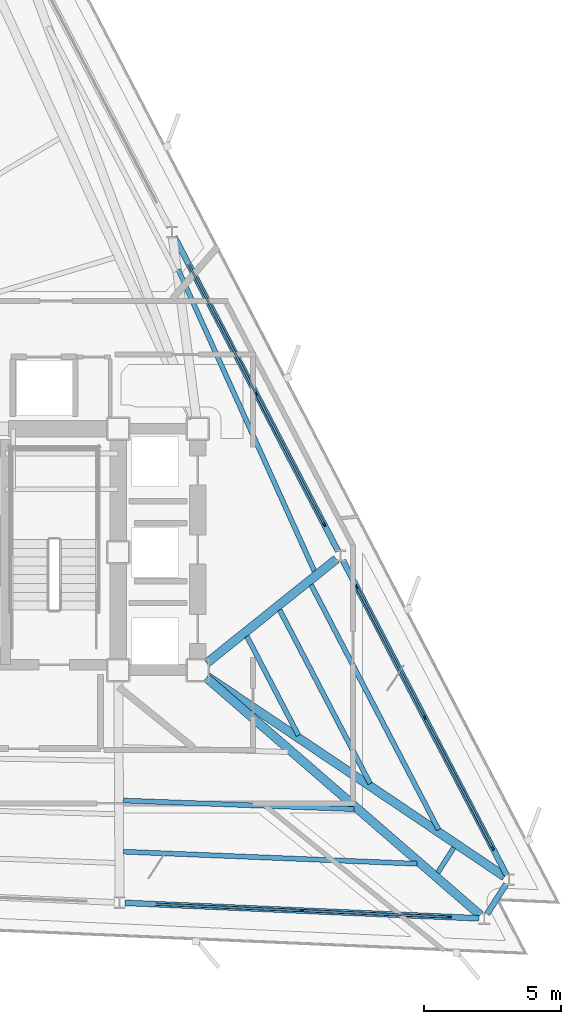
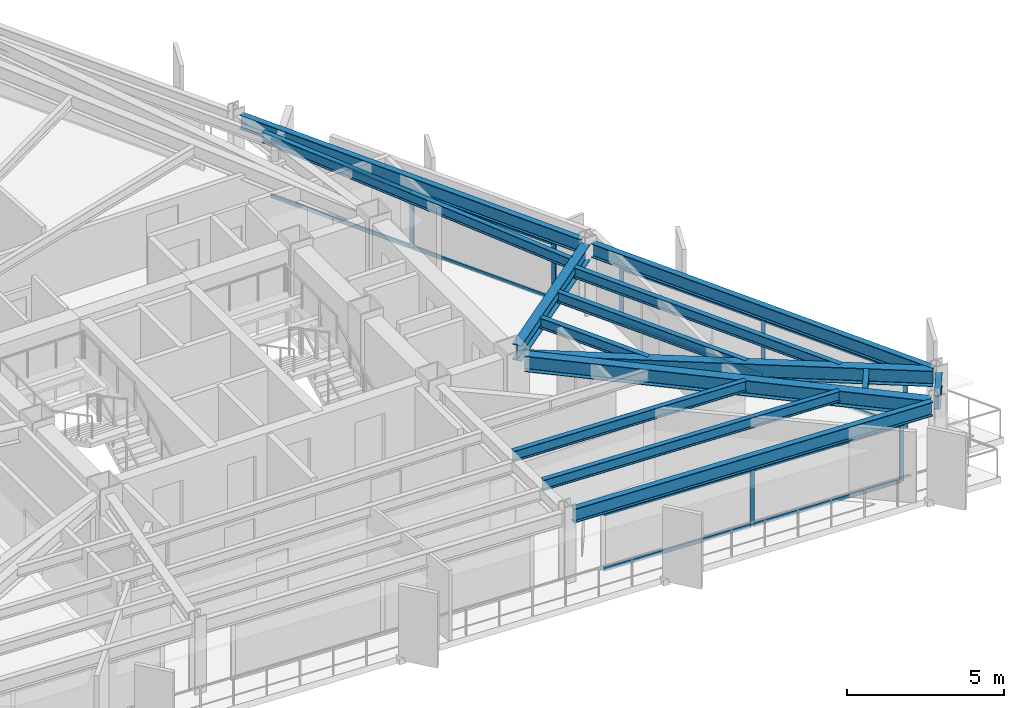
# One storey, part 5 of 12: 19 members, 14 beams, 3 elements without a shape of their own.
"""IFC4 building model written with IfcOpenShell, lengths in metres."""

from ifc_helpers import new_model, si_unit, direction, frame, origin, origin_2d, place, context, subcontext, project, spatial, rectangle, i_section, extrude, material, layer, layer_set, material_profile, profile_set, type_object, element, aggregate, save


model = new_model("IFC4")

# Units and contexts
model_context = context("Model", 3, precision=1e-05, world=origin(), true_north=direction((0.0, 1.0)))
body_context = subcontext(model_context, "Body", "Model", "MODEL_VIEW")
ifc_project = project(units=[si_unit("LENGTHUNIT", "METRE"), si_unit("AREAUNIT", "SQUARE_METRE"), si_unit("VOLUMEUNIT", "CUBIC_METRE"), si_unit("PLANEANGLEUNIT", "RADIAN"), si_unit("MASSUNIT", "GRAM", prefix="KILO")], contexts=[model_context])

# Site, building, storey
site_placement = place(None, origin())
site = spatial("IfcSite", under=ifc_project, at=site_placement, CompositionType="ELEMENT")
building_placement = place(site_placement, origin())
building = spatial("IfcBuilding", under=site, at=building_placement, Name="Rocaltana Carrier Exchange", CompositionType="ELEMENT")
storey_placement = place(building_placement, frame((0.0, 0.0, 132.0)))
storey = spatial("IfcBuildingStorey", under=building, at=storey_placement, Name="L41", CompositionType="ELEMENT", Elevation=132.0)

# Curtain wall, members
ifc_material_1 = material(Name="Aluminium 6063-T6", Category="aluminium")
ifc_layer = layer(ifc_material_1, 0.14990234375)
ifc_layer_set = layer_set([ifc_layer], Name="Aluminium 6063-T6")
curtain_wall_type = type_object("IfcCurtainWallType", Name="Mid-Tower Unitised Curtain Wall CW-03", PredefinedType="NOTDEFINED", material=ifc_layer_set)
curtain_wall_1_placement = place(storey_placement, origin())
curtain_wall_1 = element("IfcCurtainWall", 1, at=curtain_wall_1_placement, inside=storey, type_object=curtain_wall_type, Name="L41 CW-03 Run CW-L41-F1S1", PredefinedType="NOTDEFINED")
ifc_material_2 = material(Name="Aluminium 6063-T6", Category="aluminium")
ifc_material_profile_1 = material_profile(ifc_material_2, rectangle(XDim=0.06005859375, YDim=0.14990234375, at=origin_2d()), Name="AL-60X150")
ifc_profile_set_1 = profile_set([ifc_material_profile_1], Name="Aluminium 6063-T6")
member_type_1 = type_object("IfcMemberType", Name="CW-03 Mullion AL-60X150", PredefinedType="MULLION", material=ifc_profile_set_1)
member_1_placement = place(storey_placement, frame((19.700439453125, -10.792724609375, 0.0), z_axis=(0.0, 0.0, 1.0), x_axis=(-0.887009929614, -0.461750348962, 0.0)))
member_1 = element("IfcMember", 2, at=member_1_placement, type_object=member_type_1, Name="CW-03 mullion 1", PredefinedType="MULLION", context=body_context, shape_type="SweptSolid", body=[
    extrude(rectangle(XDim=0.06005859375, YDim=0.14990234375, at=origin_2d()), origin(), (0.0, 0.0, 1.0), 2.218017578125),
])
member_2_placement = place(storey_placement, frame((17.220947265625, -6.029541015625, 0.0), z_axis=(0.0, 0.0, 1.0), x_axis=(-0.887009929614, -0.461750348962, 0.0)))
member_2 = element("IfcMember", 3, at=member_2_placement, type_object=member_type_1, Name="CW-03 mullion 2", PredefinedType="MULLION", context=body_context, shape_type="SweptSolid", body=[
    extrude(rectangle(XDim=0.06005859375, YDim=0.14990234375, at=origin_2d()), origin(), (0.0, 0.0, 1.0), 2.218017578125),
])
member_3_placement = place(storey_placement, frame((14.7412109375, -1.266357421875, 0.0), z_axis=(0.0, 0.0, 1.0), x_axis=(-0.887009929614, -0.461750348962, 0.0)))
member_3 = element("IfcMember", 4, at=member_3_placement, type_object=member_type_1, Name="CW-03 mullion 3", PredefinedType="MULLION", context=body_context, shape_type="SweptSolid", body=[
    extrude(rectangle(XDim=0.06005859375, YDim=0.14990234375, at=origin_2d()), origin(), (0.0, 0.0, 1.0), 2.218017578125),
])

curtain_wall_2_placement = place(storey_placement, origin())
curtain_wall_2 = element("IfcCurtainWall", 5, at=curtain_wall_2_placement, inside=storey, type_object=curtain_wall_type, Name="L41 CW-03 Run CW-L41-F1S2", PredefinedType="NOTDEFINED")
member_4_placement = place(storey_placement, frame((13.55908203125, 1.00439453125, 0.0), z_axis=(0.0, 0.0, 1.0), x_axis=(-0.887011747812, -0.461746856235, 0.0)))
member_4 = element("IfcMember", 6, at=member_4_placement, type_object=member_type_1, Name="CW-03 mullion 1", PredefinedType="MULLION", context=body_context, shape_type="SweptSolid", body=[
    extrude(rectangle(XDim=0.06005859375, YDim=0.14990234375, at=origin_2d()), origin(), (0.0, 0.0, 1.0), 2.218017578125),
])
member_5_placement = place(storey_placement, frame((11.07958984375, 5.767578125, 0.0), z_axis=(0.0, 0.0, 1.0), x_axis=(-0.887011747812, -0.461746856235, 0.0)))
member_5 = element("IfcMember", 7, at=member_5_placement, type_object=member_type_1, Name="CW-03 mullion 2", PredefinedType="MULLION", context=body_context, shape_type="SweptSolid", body=[
    extrude(rectangle(XDim=0.06005859375, YDim=0.14990234375, at=origin_2d()), origin(), (0.0, 0.0, 1.0), 2.218017578125),
])

curtain_wall_3_placement = place(storey_placement, origin())
curtain_wall_3 = element("IfcCurtainWall", 8, at=curtain_wall_3_placement, inside=storey, type_object=curtain_wall_type, Name="L41 CW-03 Run CW-L41-F3S3", PredefinedType="NOTDEFINED")
member_6_placement = place(storey_placement, frame((12.742431640625, -13.05908203125, 0.0), z_axis=(0.0, 0.0, 1.0), x_axis=(0.043629290456, 0.999047789154, 0.0)))
member_6 = element("IfcMember", 9, at=member_6_placement, type_object=member_type_1, Name="CW-03 mullion 2", PredefinedType="MULLION", context=body_context, shape_type="SweptSolid", body=[
    extrude(rectangle(XDim=0.06005859375, YDim=0.14990234375, at=origin_2d()), origin(), (0.0, 0.0, 1.0), 2.218017578125),
])
member_7_placement = place(storey_placement, frame((18.107421875, -13.29345703125, 0.0), z_axis=(0.0, 0.0, 1.0), x_axis=(0.043629290456, 0.999047789154, 0.0)))
member_7 = element("IfcMember", 10, at=member_7_placement, type_object=member_type_1, Name="CW-03 mullion 3", PredefinedType="MULLION", context=body_context, shape_type="SweptSolid", body=[
    extrude(rectangle(XDim=0.06005859375, YDim=0.14990234375, at=origin_2d()), origin(), (0.0, 0.0, 1.0), 2.218017578125),
])

# Member
ifc_material_3 = material(Name="Aluminium 6063-T6", Category="aluminium")
ifc_material_profile_2 = material_profile(ifc_material_3, rectangle(XDim=0.06005859375, YDim=0.14990234375, at=origin_2d()), Name="AL-60X150")
ifc_profile_set_2 = profile_set([ifc_material_profile_2], Name="Aluminium 6063-T6")
member_type_2 = type_object("IfcMemberType", Name="CW-03 Transom AL-60X150", PredefinedType="USERDEFINED", material=ifc_profile_set_2)
member_8_placement = place(storey_placement, frame((19.6865234375, -10.76611328125, 0.030029296875), z_axis=(-0.461756588365, 0.887006681543, 0.0), x_axis=(-0.887006681543, -0.461756588365, 0.0)))
member_8 = element("IfcMember", 11, at=member_8_placement, type_object=member_type_2, Name="CW-03 transom 1.1", ObjectType="TRANSOM", PredefinedType="USERDEFINED", context=body_context, shape_type="SweptSolid", body=[
    extrude(rectangle(XDim=0.06005859375, YDim=0.14990234375, at=origin_2d()), origin(), (0.0, 0.0, 1.0), 5.31005859375),
])

member_9_placement = place(storey_placement, frame((19.6865234375, -10.76611328125, 2.18798828125), z_axis=(-0.461756588365, 0.887006681543, 0.0), x_axis=(-0.887006681543, -0.461756588365, 0.0)))
member_9 = element("IfcMember", 12, at=member_9_placement, type_object=member_type_2, Name="CW-03 transom 1.2", ObjectType="TRANSOM", PredefinedType="USERDEFINED", context=body_context, shape_type="SweptSolid", body=[
    extrude(rectangle(XDim=0.06005859375, YDim=0.14990234375, at=origin_2d()), origin(), (0.0, 0.0, 1.0), 5.31005859375),
])

member_10_placement = place(storey_placement, frame((17.20703125, -6.0029296875, 0.030029296875), z_axis=(-0.461756588365, 0.887006681543, 0.0), x_axis=(-0.887006681543, -0.461756588365, 0.0)))
member_10 = element("IfcMember", 13, at=member_10_placement, type_object=member_type_2, Name="CW-03 transom 2.1", ObjectType="TRANSOM", PredefinedType="USERDEFINED", context=body_context, shape_type="SweptSolid", body=[
    extrude(rectangle(XDim=0.06005859375, YDim=0.14990234375, at=origin_2d()), origin(), (0.0, 0.0, 1.0), 5.31005859375),
])

member_11_placement = place(storey_placement, frame((17.20703125, -6.0029296875, 2.18798828125), z_axis=(-0.461756588365, 0.887006681543, 0.0), x_axis=(-0.887006681543, -0.461756588365, 0.0)))
member_11 = element("IfcMember", 14, at=member_11_placement, type_object=member_type_2, Name="CW-03 transom 2.2", ObjectType="TRANSOM", PredefinedType="USERDEFINED", context=body_context, shape_type="SweptSolid", body=[
    extrude(rectangle(XDim=0.06005859375, YDim=0.14990234375, at=origin_2d()), origin(), (0.0, 0.0, 1.0), 5.31005859375),
])

aggregate(curtain_wall_1, [member_1, member_2, member_3, member_8, member_9, member_10, member_11])

member_12_placement = place(storey_placement, frame((13.54541015625, 1.031005859375, 0.030029296875), z_axis=(-0.461737757324, 0.887016484323, 0.0), x_axis=(-0.887016484323, -0.461737757324, 0.0)))
member_12 = element("IfcMember", 15, at=member_12_placement, type_object=member_type_2, Name="CW-03 transom 1.1", ObjectType="TRANSOM", PredefinedType="USERDEFINED", context=body_context, shape_type="SweptSolid", body=[
    extrude(rectangle(XDim=0.06005859375, YDim=0.14990234375, at=origin_2d()), origin(), (0.0, 0.0, 1.0), 5.31005859375),
])

member_13_placement = place(storey_placement, frame((13.54541015625, 1.031005859375, 2.18798828125), z_axis=(-0.461737757324, 0.887016484323, 0.0), x_axis=(-0.887016484323, -0.461737757324, 0.0)))
member_13 = element("IfcMember", 16, at=member_13_placement, type_object=member_type_2, Name="CW-03 transom 1.2", ObjectType="TRANSOM", PredefinedType="USERDEFINED", context=body_context, shape_type="SweptSolid", body=[
    extrude(rectangle(XDim=0.06005859375, YDim=0.14990234375, at=origin_2d()), origin(), (0.0, 0.0, 1.0), 5.31005859375),
])

member_14_placement = place(storey_placement, frame((11.065673828125, 5.794189453125, 0.030029296875), z_axis=(-0.461701582275, 0.887035314362, 0.0), x_axis=(-0.887035314362, -0.461701582275, 0.0)))
member_14 = element("IfcMember", 17, at=member_14_placement, type_object=member_type_2, Name="CW-03 transom 2.1", ObjectType="TRANSOM", PredefinedType="USERDEFINED", context=body_context, shape_type="SweptSolid", body=[
    extrude(rectangle(XDim=0.06005859375, YDim=0.14990234375, at=origin_2d()), origin(), (0.0, 0.0, 1.0), 5.31005859375),
])

member_15_placement = place(storey_placement, frame((11.065673828125, 5.794189453125, 2.18798828125), z_axis=(-0.461701582275, 0.887035314362, 0.0), x_axis=(-0.887035314362, -0.461701582275, 0.0)))
member_15 = element("IfcMember", 18, at=member_15_placement, type_object=member_type_2, Name="CW-03 transom 2.2", ObjectType="TRANSOM", PredefinedType="USERDEFINED", context=body_context, shape_type="SweptSolid", body=[
    extrude(rectangle(XDim=0.06005859375, YDim=0.14990234375, at=origin_2d()), origin(), (0.0, 0.0, 1.0), 5.31005859375),
])

aggregate(curtain_wall_2, [member_4, member_5, member_12, member_13, member_14, member_15])

member_16_placement = place(storey_placement, frame((7.407470703125, -12.826171875, 0.030029296875), z_axis=(0.999047725225, -0.043630754314, 0.0), x_axis=(0.043630754314, 0.999047725225, 0.0)))
member_16 = element("IfcMember", 19, at=member_16_placement, type_object=member_type_2, Name="CW-03 transom 1.1", ObjectType="TRANSOM", PredefinedType="USERDEFINED", context=body_context, shape_type="SweptSolid", body=[
    extrude(rectangle(XDim=0.06005859375, YDim=0.14990234375, at=origin_2d()), origin(), (0.0, 0.0, 1.0), 5.310302734375),
])

member_17_placement = place(storey_placement, frame((7.407470703125, -12.826171875, 2.18798828125), z_axis=(0.999047725225, -0.043630754314, 0.0), x_axis=(0.043630754314, 0.999047725225, 0.0)))
member_17 = element("IfcMember", 20, at=member_17_placement, type_object=member_type_2, Name="CW-03 transom 1.2", ObjectType="TRANSOM", PredefinedType="USERDEFINED", context=body_context, shape_type="SweptSolid", body=[
    extrude(rectangle(XDim=0.06005859375, YDim=0.14990234375, at=origin_2d()), origin(), (0.0, 0.0, 1.0), 5.310302734375),
])

member_18_placement = place(storey_placement, frame((12.7724609375, -13.060546875, 0.030029296875), z_axis=(0.999047637698, -0.043632758442, 0.0), x_axis=(0.043632758442, 0.999047637698, 0.0)))
member_18 = element("IfcMember", 21, at=member_18_placement, type_object=member_type_2, Name="CW-03 transom 2.1", ObjectType="TRANSOM", PredefinedType="USERDEFINED", context=body_context, shape_type="SweptSolid", body=[
    extrude(rectangle(XDim=0.06005859375, YDim=0.14990234375, at=origin_2d()), origin(), (0.0, 0.0, 1.0), 5.31005859375),
])

member_19_placement = place(storey_placement, frame((12.7724609375, -13.060546875, 2.18798828125), z_axis=(0.999047637698, -0.043632758442, 0.0), x_axis=(0.043632758442, 0.999047637698, 0.0)))
member_19 = element("IfcMember", 22, at=member_19_placement, type_object=member_type_2, Name="CW-03 transom 2.2", ObjectType="TRANSOM", PredefinedType="USERDEFINED", context=body_context, shape_type="SweptSolid", body=[
    extrude(rectangle(XDim=0.06005859375, YDim=0.14990234375, at=origin_2d()), origin(), (0.0, 0.0, 1.0), 5.31005859375),
])

aggregate(curtain_wall_3, [member_6, member_7, member_16, member_17, member_18, member_19])

# Beams
ifc_material_4 = material(Name="Steel S355", Category="steel")
ifc_material_profile_3 = material_profile(ifc_material_4, i_section(OverallWidth=0.179931640625, OverallDepth=0.4130859375, WebThickness=0.009765625, FlangeThickness=0.01611328125, FilletRadius=0.012939453125, at=origin_2d()), Name="W16X50")
ifc_profile_set_3 = profile_set([ifc_material_profile_3], Name="Steel S355")
beam_type_1 = type_object("IfcBeamType", Name="Floor Joist W16X50", PredefinedType="JOIST", material=ifc_profile_set_3)
beam_1_placement = place(storey_placement, frame((12.62060546875, -6.678955078125, 2.58154296875), z_axis=(-0.461741088253, 0.887014750395, 0.0), x_axis=(-0.887014750395, -0.461741088253, 0.0)))
element("IfcBeam", 23, at=beam_1_placement, inside=storey, type_object=beam_type_1, Name="FJ-L41-01-1", PredefinedType="JOIST", context=body_context, shape_type="SweptSolid", body=[
    extrude(i_section(OverallWidth=0.179931640625, OverallDepth=0.4130859375, WebThickness=0.009765625, FlangeThickness=0.01611328125, FilletRadius=0.012939453125, at=origin_2d()), origin(), (0.0, 0.0, 1.0), 4.0771484375),
])
beam_2_placement = place(storey_placement, frame((15.229248046875, -8.433349609375, 2.58154296875), z_axis=(-0.461769572887, 0.886999921959, 0.0), x_axis=(-0.886999921959, -0.461769572887, 0.0)))
element("IfcBeam", 24, at=beam_2_placement, inside=storey, type_object=beam_type_1, Name="FJ-L41-01-2", PredefinedType="JOIST", context=body_context, shape_type="SweptSolid", body=[
    extrude(i_section(OverallWidth=0.179931640625, OverallDepth=0.4130859375, WebThickness=0.009765625, FlangeThickness=0.01611328125, FilletRadius=0.012939453125, at=origin_2d()), origin(), (0.0, 0.0, 1.0), 7.135986328125),
])
beam_3_placement = place(storey_placement, frame((17.724365234375, -10.111572265625, 2.58154296875), z_axis=(-0.461760646449, 0.88700456898, 0.0), x_axis=(-0.88700456898, -0.461760646449, 0.0)))
element("IfcBeam", 25, at=beam_3_placement, inside=storey, type_object=beam_type_1, Name="FJ-L41-01-3", PredefinedType="JOIST", context=body_context, shape_type="SweptSolid", body=[
    extrude(i_section(OverallWidth=0.179931640625, OverallDepth=0.4130859375, WebThickness=0.009765625, FlangeThickness=0.01611328125, FilletRadius=0.012939453125, at=origin_2d()), origin(), (0.0, 0.0, 1.0), 10.06201171875),
])
beam_4_placement = place(storey_placement, frame((13.201904296875, -0.697509765625, 2.58154296875), z_axis=(-0.41154987929, 0.911387237598, 0.0), x_axis=(-0.911387237598, -0.41154987929, 0.0)))
element("IfcBeam", 26, at=beam_4_placement, inside=storey, type_object=beam_type_1, Name="FJ-L41-02-3", PredefinedType="JOIST", context=body_context, shape_type="SweptSolid", body=[
    extrude(i_section(OverallWidth=0.179931640625, OverallDepth=0.4130859375, WebThickness=0.009765625, FlangeThickness=0.01611328125, FilletRadius=0.012939453125, at=origin_2d()), origin(), (0.0, 0.0, 1.0), 12.0732421875),
])
beam_5_placement = place(storey_placement, frame((6.233154296875, -9.048583984375, 2.58154296875), z_axis=(0.999306338381, -0.037240328574, 0.0), x_axis=(0.037240328574, 0.999306338381, 0.0)))
element("IfcBeam", 27, at=beam_5_placement, inside=storey, type_object=beam_type_1, Name="FJ-L41-11-2", PredefinedType="JOIST", context=body_context, shape_type="SweptSolid", body=[
    extrude(i_section(OverallWidth=0.179931640625, OverallDepth=0.4130859375, WebThickness=0.009765625, FlangeThickness=0.01611328125, FilletRadius=0.012939453125, at=origin_2d()), origin(), (0.0, 0.0, 1.0), 8.4111328125),
])
beam_6_placement = place(storey_placement, frame((6.243896484375, -10.912353515625, 2.58154296875), z_axis=(0.999155233616, -0.041095244719, 0.0), x_axis=(0.041095244719, 0.999155233616, 0.0)))
element("IfcBeam", 28, at=beam_6_placement, inside=storey, type_object=beam_type_1, Name="FJ-L41-11-3", PredefinedType="JOIST", context=body_context, shape_type="SweptSolid", body=[
    extrude(i_section(OverallWidth=0.179931640625, OverallDepth=0.4130859375, WebThickness=0.009765625, FlangeThickness=0.01611328125, FilletRadius=0.012939453125, at=origin_2d()), origin(), (0.0, 0.0, 1.0), 10.699462890625),
])
beam_7_placement = place(storey_placement, frame((17.69580078125, -11.67919921875, 2.58154296875), z_axis=(0.537311646576, 0.843383776495, 0.0), x_axis=(-0.843383776495, 0.537311646576, 0.0)))
element("IfcBeam", 29, at=beam_7_placement, inside=storey, type_object=beam_type_1, Name="FJ-L41-12-3", PredefinedType="JOIST", context=body_context, shape_type="SweptSolid", body=[
    extrude(i_section(OverallWidth=0.179931640625, OverallDepth=0.4130859375, WebThickness=0.009765625, FlangeThickness=0.01611328125, FilletRadius=0.012939453125, at=origin_2d()), origin(), (0.0, 0.0, 1.0), 1.08642578125),
])
ifc_material_5 = material(Name="Steel S355", Category="steel")
ifc_material_profile_4 = material_profile(ifc_material_5, i_section(OverallWidth=0.323974609375, OverallDepth=0.611083984375, WebThickness=0.0126953125, FlangeThickness=0.01904296875, FilletRadius=0.01611328125, at=origin_2d()), Name="W24X104")
ifc_profile_set_4 = profile_set([ifc_material_profile_4], Name="Steel S355")
beam_type_2 = type_object("IfcBeamType", Name="Radial Girder W24X104", PredefinedType="BEAM", material=ifc_profile_set_4)
beam_8_placement = place(storey_placement, frame((9.2958984375, -4.53271484375, 2.482421875), z_axis=(0.829776429239, -0.558095939314, 0.0), x_axis=(0.558095939314, 0.829776429239, 0.0)))
element("IfcBeam", 30, at=beam_8_placement, inside=storey, type_object=beam_type_2, Name="RG-L41-01", PredefinedType="BEAM", context=body_context, shape_type="SweptSolid", body=[
    extrude(i_section(OverallWidth=0.323974609375, OverallDepth=0.611083984375, WebThickness=0.0126953125, FlangeThickness=0.01904296875, FilletRadius=0.01611328125, at=origin_2d()), origin(), (0.0, 0.0, 1.0), 13.05615234375),
])
beam_9_placement = place(storey_placement, frame((9.275390625, -4.039306640625, 2.482421875), z_axis=(0.780203362819, 0.625525948819, 0.0), x_axis=(-0.625525948819, 0.780203362819, 0.0)))
element("IfcBeam", 31, at=beam_9_placement, inside=storey, type_object=beam_type_2, Name="RG-L41-02", PredefinedType="BEAM", context=body_context, shape_type="SweptSolid", body=[
    extrude(i_section(OverallWidth=0.323974609375, OverallDepth=0.611083984375, WebThickness=0.0126953125, FlangeThickness=0.01904296875, FilletRadius=0.01611328125, at=origin_2d()), origin(), (0.0, 0.0, 1.0), 6.05322265625),
])
beam_10_placement = place(storey_placement, frame((9.26513671875, -4.5732421875, 2.482421875), z_axis=(0.755523694859, -0.655121321976, 0.0), x_axis=(0.655121321976, 0.755523694859, 0.0)))
element("IfcBeam", 32, at=beam_10_placement, inside=storey, type_object=beam_type_2, Name="RG-L41-12", PredefinedType="BEAM", context=body_context, shape_type="SweptSolid", body=[
    extrude(i_section(OverallWidth=0.323974609375, OverallDepth=0.611083984375, WebThickness=0.0126953125, FlangeThickness=0.01904296875, FilletRadius=0.01611328125, at=origin_2d()), origin(), (0.0, 0.0, 1.0), 13.201171875),
])
ifc_material_6 = material(Name="Steel S355", Category="steel")
ifc_material_profile_5 = material_profile(ifc_material_6, i_section(OverallWidth=0.2119140625, OverallDepth=0.5439453125, WebThickness=0.01318359375, FlangeThickness=0.021240234375, FilletRadius=0.014892578125, at=origin_2d()), Name="W21X83")
ifc_profile_set_5 = profile_set([ifc_material_profile_5], Name="Steel S355")
beam_type_3 = type_object("IfcBeamType", Name="Spandrel Edge Beam W21X83", PredefinedType="SPANDREL", material=ifc_profile_set_5)
beam_11_placement = place(storey_placement, frame((20.201416015625, -11.755126953125, 2.51611328125), z_axis=(-0.461753420073, 0.88700833088, 0.0), x_axis=(-0.88700833088, -0.461753420073, 0.0)))
element("IfcBeam", 33, at=beam_11_placement, inside=storey, type_object=beam_type_3, Name="SP-L41-01", PredefinedType="SPANDREL", context=body_context, shape_type="SweptSolid", body=[
    extrude(i_section(OverallWidth=0.2119140625, OverallDepth=0.5439453125, WebThickness=0.01318359375, FlangeThickness=0.021240234375, FilletRadius=0.014892578125, at=origin_2d()), origin(), (0.0, 0.0, 1.0), 12.909912109375),
])
beam_12_placement = place(storey_placement, frame((14.060302734375, 0.0419921875, 2.51611328125), z_axis=(-0.461745674575, 0.887012362942, 0.0), x_axis=(-0.887012362942, -0.461745674575, 0.0)))
element("IfcBeam", 34, at=beam_12_placement, inside=storey, type_object=beam_type_3, Name="SP-L41-02", PredefinedType="SPANDREL", context=body_context, shape_type="SweptSolid", body=[
    extrude(i_section(OverallWidth=0.2119140625, OverallDepth=0.5439453125, WebThickness=0.01318359375, FlangeThickness=0.021240234375, FilletRadius=0.014892578125, at=origin_2d()), origin(), (0.0, 0.0, 1.0), 12.91015625),
])
beam_13_placement = place(storey_placement, frame((6.293701171875, -12.777587890625, 2.51611328125), z_axis=(0.999047862202, -0.04362761775, 0.0), x_axis=(0.04362761775, 0.999047862202, 0.0)))
element("IfcBeam", 35, at=beam_13_placement, inside=storey, type_object=beam_type_3, Name="SP-L41-11", PredefinedType="SPANDREL", context=body_context, shape_type="SweptSolid", body=[
    extrude(i_section(OverallWidth=0.2119140625, OverallDepth=0.5439453125, WebThickness=0.01318359375, FlangeThickness=0.021240234375, FilletRadius=0.014892578125, at=origin_2d()), origin(), (0.0, 0.0, 1.0), 12.909912109375),
])
beam_14_placement = place(storey_placement, frame((19.490966796875, -13.184814453125, 2.51611328125), z_axis=(0.537351203855, 0.84335857363, 0.0), x_axis=(-0.84335857363, 0.537351203855, 0.0)))
element("IfcBeam", 36, at=beam_14_placement, inside=storey, type_object=beam_type_3, Name="SP-L41-12", PredefinedType="SPANDREL", context=body_context, shape_type="SweptSolid", body=[
    extrude(i_section(OverallWidth=0.2119140625, OverallDepth=0.5439453125, WebThickness=0.01318359375, FlangeThickness=0.021240234375, FilletRadius=0.014892578125, at=origin_2d()), origin(), (0.0, 0.0, 1.0), 1.294921875),
])

save(model, "model.ifc")
